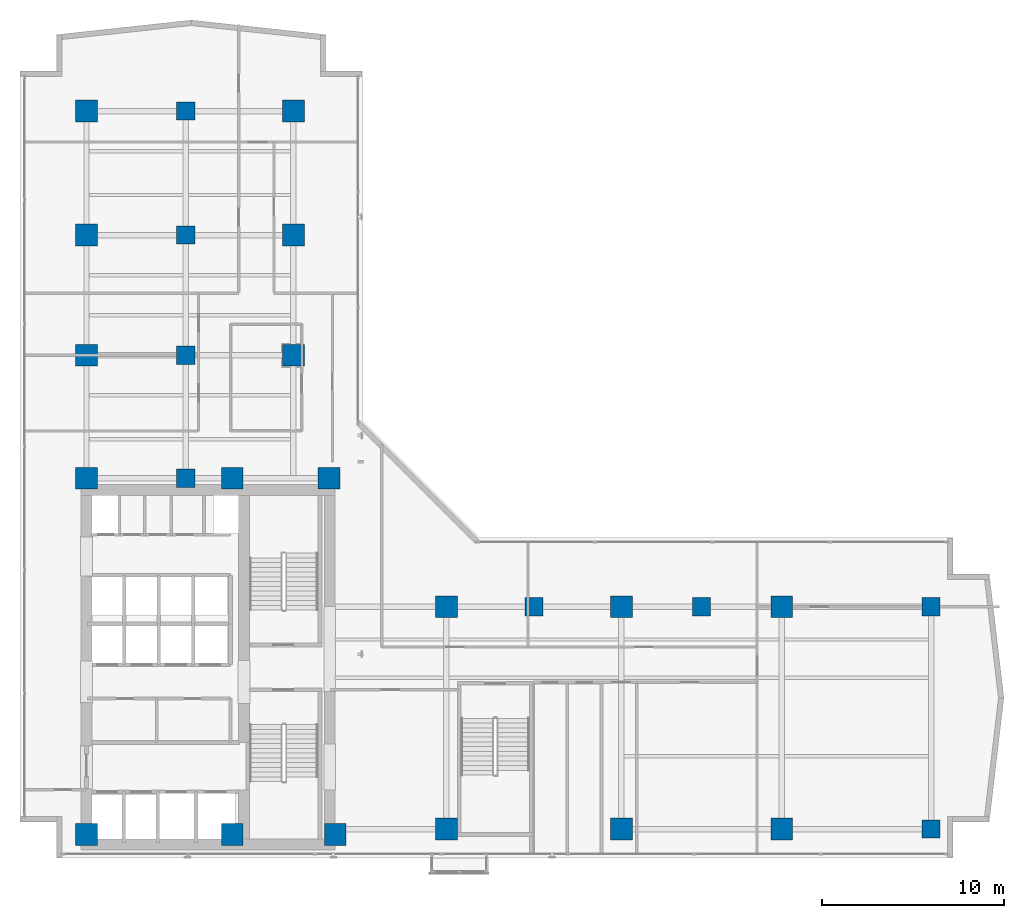
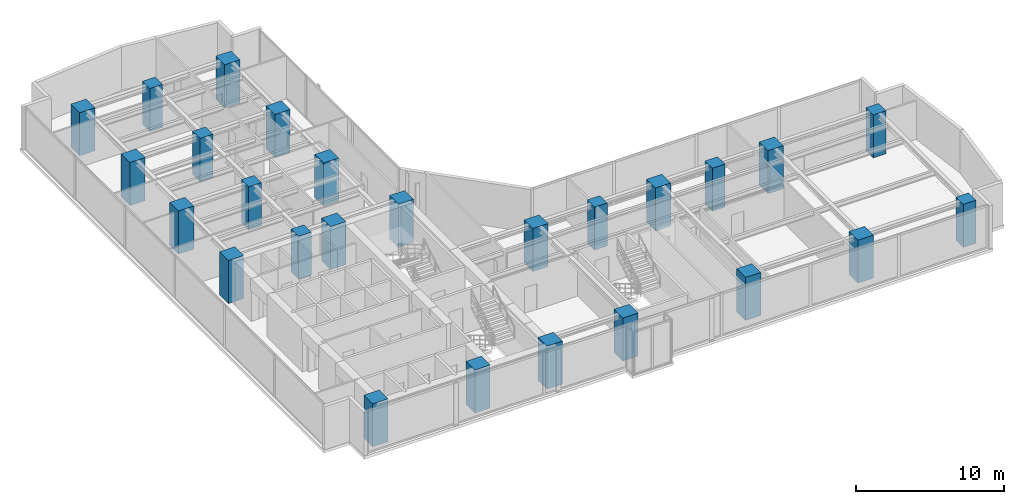
# One storey, part 1 of 24: 26 columns.
"""IFC4 building model written with IfcOpenShell, lengths in metres."""

from ifc_helpers import new_model, si_unit, direction, frame, origin, origin_2d, place, context, subcontext, project, spatial, rectangle, extrude, material, material_profile, profile_set, type_object, element, save


model = new_model("IFC4")

# Units and contexts
model_context = context("Model", 3, precision=1e-05, world=origin(), true_north=direction((0.0, 1.0)))
body_context = subcontext(model_context, "Body", "Model", "MODEL_VIEW")
ifc_project = project(units=[si_unit("LENGTHUNIT", "METRE"), si_unit("AREAUNIT", "SQUARE_METRE"), si_unit("VOLUMEUNIT", "CUBIC_METRE"), si_unit("PLANEANGLEUNIT", "RADIAN"), si_unit("MASSUNIT", "GRAM", prefix="KILO")], contexts=[model_context])

# Site, building, storey
site_placement = place(None, origin())
site = spatial("IfcSite", under=ifc_project, at=site_placement, CompositionType="ELEMENT")
building_placement = place(site_placement, origin())
building = spatial("IfcBuilding", under=site, at=building_placement, Name="Kolvaren Waterfront Exchange", CompositionType="ELEMENT")
storey_placement = place(building_placement, frame((0.0, 0.0, 169.0)))
storey = spatial("IfcBuildingStorey", under=building, at=storey_placement, Name="L43", CompositionType="ELEMENT", Elevation=169.0)

# Columns
ifc_material = material(Name="Concrete C60/75", Category="concrete")
ifc_material_profile_1 = material_profile(ifc_material, rectangle(XDim=1.0, YDim=1.0, at=origin_2d()), Name="RC-COL-1000x1000")
ifc_profile_set_1 = profile_set([ifc_material_profile_1], Name="Concrete C60/75")
column_type_1 = type_object("IfcColumnType", Name="STR-COL-1000-C60", PredefinedType="COLUMN", material=ifc_profile_set_1)
for number, where, z_axis, x_axis, name in (
    (1, (53.800048828125, 5.199951171875, 0.0), (0.0, 0.0, 1.0), (1.0, 0.0, 0.0), "L43 column ZC01"),
    (2, (53.800048828125, 17.39990234375, 0.0), (0.0, 0.0, 1.0), (1.0, 0.0, 0.0), "L43 column ZC02"),
    (3, (12.89990234375, 24.449951171875, 0.0), (0.0, 0.0, 1.0), (1.0, 0.0, 0.0), "L43 column TC01"),
    (4, (12.89990234375, 31.199951171875, 0.0), (0.0, 0.0, 1.0), (1.0, 0.0, 0.0), "L43 column TC02"),
    (5, (12.89990234375, 37.800048828125, 0.0), (0.0, 0.0, 1.0), (1.0, 0.0, 0.0), "L43 column TC03"),
    (6, (12.89990234375, 44.60009765625, 0.0), (0.0, 0.0, 1.0), (1.0, 0.0, 0.0), "L43 column TC04"),
    (7, (32.0, 17.39990234375, 0.0), (0.0, 0.0, 1.0), (1.0, 0.0, 0.0), "L43 column TC05"),
    (8, (41.199951171875, 17.39990234375, 0.0), (0.0, 0.0, 1.0), (1.0, 0.0, 0.0), "L43 column TC06"),
):
    element("IfcColumn", number, at=place(storey_placement, frame(where, z_axis=z_axis, x_axis=x_axis)), inside=storey, type_object=column_type_1, Name=name, PredefinedType="COLUMN", context=body_context, shape_type="SweptSolid", body=[
        extrude(rectangle(XDim=1.0, YDim=1.0, at=origin_2d()), origin(), (0.0, 0.0, 1.0), 3.56005859375),
    ])
ifc_material_profile_2 = material_profile(ifc_material, rectangle(XDim=1.199951171875, YDim=1.199951171875, at=origin_2d()), Name="RC-COL-1200x1200")
ifc_profile_set_2 = profile_set([ifc_material_profile_2], Name="Concrete C60/75")
column_type_2 = type_object("IfcColumnType", Name="STR-COL-1200-C60", PredefinedType="COLUMN", material=ifc_profile_set_2)
for number, where, z_axis, x_axis, name in (
    (9, (7.449951171875, 4.89990234375, 0.0), (0.0, 0.0, 1.0), (1.0, 0.0, 0.0), "L43 column MC01"),
    (10, (15.449951171875, 4.89990234375, 0.0), (0.0, 0.0, 1.0), (1.0, 0.0, 0.0), "L43 column MC02"),
    (11, (21.10009765625, 4.89990234375, 0.0), (0.0, 0.0, 1.0), (1.0, 0.0, 0.0), "L43 column MC03"),
    (12, (7.449951171875, 24.449951171875, 0.0), (0.0, 0.0, 1.0), (1.0, 0.0, 0.0), "L43 column MC04"),
    (13, (15.449951171875, 24.449951171875, 0.0), (0.0, 0.0, 1.0), (1.0, 0.0, 0.0), "L43 column MC05"),
    (14, (20.75, 24.449951171875, 0.0), (0.0, 0.0, 1.0), (1.0, 0.0, 0.0), "L43 column MC06"),
    (15, (7.449951171875, 31.199951171875, 0.0), (0.0, 0.0, 1.0), (1.0, 0.0, 0.0), "L43 column NC01"),
    (16, (7.449951171875, 37.800048828125, 0.0), (0.0, 0.0, 1.0), (1.0, 0.0, 0.0), "L43 column NC02"),
    (17, (7.449951171875, 44.60009765625, 0.0), (0.0, 0.0, 1.0), (1.0, 0.0, 0.0), "L43 column NC03"),
    (18, (18.800048828125, 31.199951171875, 0.0), (0.0, 0.0, 1.0), (1.0, 0.0, 0.0), "L43 column NC04"),
    (19, (18.800048828125, 37.800048828125, 0.0), (0.0, 0.0, 1.0), (1.0, 0.0, 0.0), "L43 column NC05"),
    (20, (18.800048828125, 44.60009765625, 0.0), (0.0, 0.0, 1.0), (1.0, 0.0, 0.0), "L43 column NC06"),
    (21, (27.199951171875, 5.199951171875, 0.0), (0.0, 0.0, 1.0), (1.0, 0.0, 0.0), "L43 column EC01"),
    (22, (36.800048828125, 5.199951171875, 0.0), (0.0, 0.0, 1.0), (1.0, 0.0, 0.0), "L43 column EC02"),
    (23, (45.60009765625, 5.199951171875, 0.0), (0.0, 0.0, 1.0), (1.0, 0.0, 0.0), "L43 column EC03"),
    (24, (27.199951171875, 17.39990234375, 0.0), (0.0, 0.0, 1.0), (1.0, 0.0, 0.0), "L43 column EC04"),
    (25, (36.800048828125, 17.39990234375, 0.0), (0.0, 0.0, 1.0), (1.0, 0.0, 0.0), "L43 column EC05"),
    (26, (45.60009765625, 17.39990234375, 0.0), (0.0, 0.0, 1.0), (1.0, 0.0, 0.0), "L43 column EC06"),
):
    element("IfcColumn", number, at=place(storey_placement, frame(where, z_axis=z_axis, x_axis=x_axis)), inside=storey, type_object=column_type_2, Name=name, PredefinedType="COLUMN", context=body_context, shape_type="SweptSolid", body=[
        extrude(rectangle(XDim=1.199951171875, YDim=1.199951171875, at=origin_2d()), origin(), (0.0, 0.0, 1.0), 3.56005859375),
    ])

save(model, "model.ifc")
